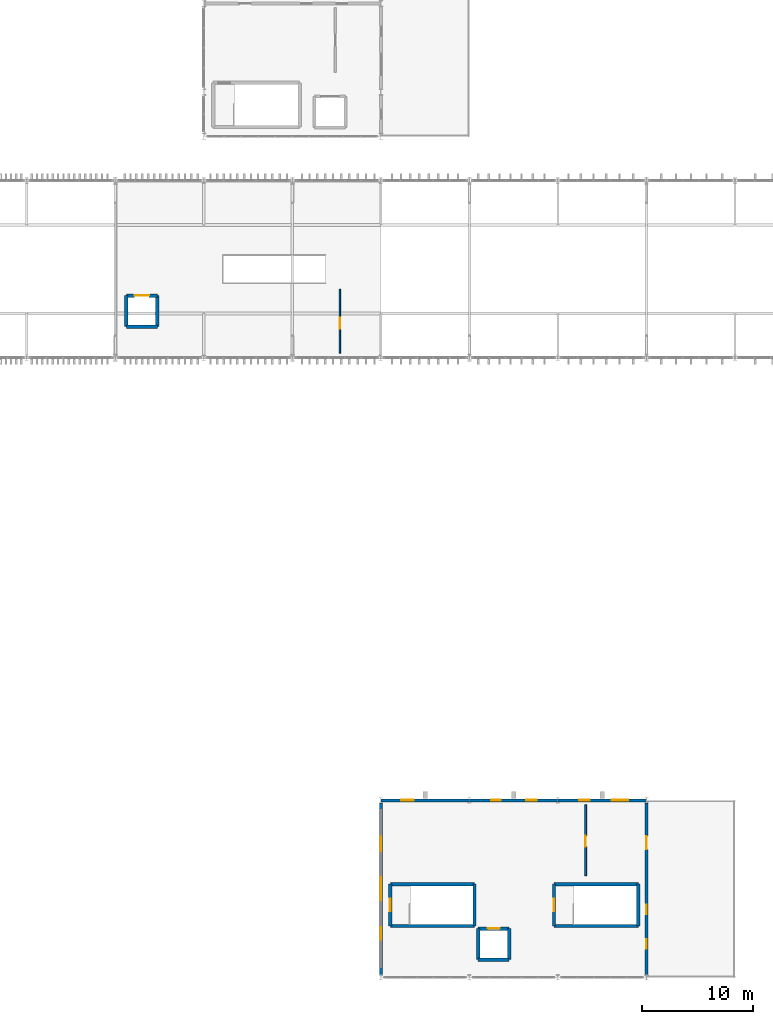
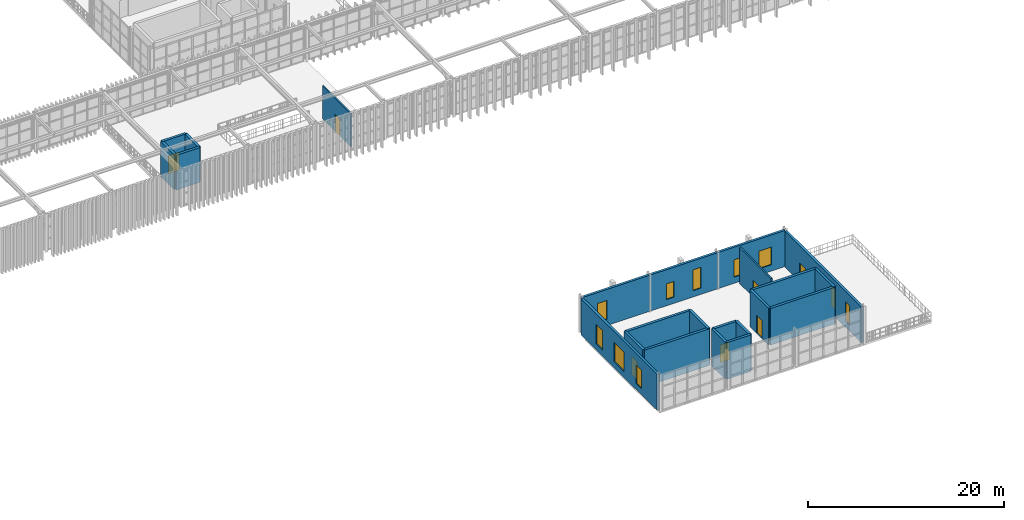
# One storey, part 50 of 61: 23 walls, 10 windows, 7 doors, 17 openings.
"""IFC4 building model written with IfcOpenShell, lengths in metres."""

from ifc_helpers import new_model, si_unit, direction, frame, frame_2d, origin, place, context, subcontext, project, spatial, rectangle, extrude, material, layer, layer_set, type_object, element, fill, save


model = new_model("IFC4")

# Units and contexts
model_context = context("Model", 3, precision=1e-05, world=origin(), true_north=direction((0.0, 1.0)))
body_context = subcontext(model_context, "Body", "Model", "MODEL_VIEW")
ifc_project = project(units=[si_unit("LENGTHUNIT", "METRE"), si_unit("AREAUNIT", "SQUARE_METRE"), si_unit("VOLUMEUNIT", "CUBIC_METRE"), si_unit("PLANEANGLEUNIT", "RADIAN"), si_unit("MASSUNIT", "GRAM", prefix="KILO")], contexts=[model_context])

# Site, building, storey
site_placement = place(None, origin())
site = spatial("IfcSite", under=ifc_project, at=site_placement, CompositionType="ELEMENT")
building_placement = place(site_placement, origin())
building = spatial("IfcBuilding", under=site, at=building_placement, Name="Serraluz Foothill Cableway Terminal", CompositionType="ELEMENT")
storey_placement = place(building_placement, frame((0.0, 0.0, 15.0)))
storey = spatial("IfcBuildingStorey", under=building, at=storey_placement, Name="L03", CompositionType="ELEMENT", Elevation=15.0)

# Wall, opening, window
ifc_material_1 = material(Name="Fired clay masonry brick (f'm 12 MPa)", Category="masonry")
ifc_layer_1 = layer(ifc_material_1, 0.280029296875, Name="Fired clay masonry brick (f'm 12 MPa)", Category="masonry")
ifc_layer_set_1 = layer_set([ifc_layer_1], Name="Fired clay masonry brick (f'm 12 MPa)")
wall_type_1 = type_object("IfcWallType", Name="TYP-WL-EXT-280", PredefinedType="STANDARD", material=ifc_layer_set_1)
wall_1_placement = place(storey_placement, frame((96.006103515625, 16.0, 0.0), z_axis=(0.0, 0.0, 1.0), x_axis=(1.0, 0.0, 0.0)))
wall_1 = element("IfcWall", 1, at=wall_1_placement, inside=storey, type_object=wall_type_1, Name="Exterior Masonry Wall EW-V3N-L03-96", PredefinedType="STANDARD", context=body_context, shape_type="SweptSolid", body=[
    extrude(rectangle(XDim=7.98779296875, YDim=0.280029296875, at=frame_2d((3.993896484375, 0.0))), origin(), (0.0, 0.0, 1.0), 4.5),
])
opening_1_placement = place(wall_1_placement, frame((1.83642578125, 0.0, 0.780029296875)))
opening_1 = element("IfcOpeningElement", 2, at=opening_1_placement, cuts=wall_1, Name="Opening W-50", PredefinedType="OPENING", context=body_context, shape_type="SweptSolid", body=[
    extrude(rectangle(XDim=1.1201171875, YDim=2.35009765625, at=frame_2d((0.56005859375, 1.175048828125))), frame((0.0, 0.14990234375, 0.0), z_axis=(0.0, -1.0, 0.0), x_axis=(1.0, 0.0, 0.0)), (0.0, 0.0, 1.0), 0.300048828125),
])
ifc_material_2 = material(Name="Laminated low-E safety glass", Category="glass")
window_type_1 = type_object("IfcWindowType", Name="TYP-WN-112X235", PartitioningType="SINGLE_PANEL", PredefinedType="WINDOW", material=ifc_material_2)
window_1_placement = place(opening_1_placement, origin())
window_1 = element("IfcWindow", 3, at=window_1_placement, inside=storey, type_object=window_type_1, Name="Exterior Window EW-V3N-L03-96-WN1", OverallHeight=2.35009765625, OverallWidth=1.1201171875, PartitioningType="SINGLE_PANEL", PredefinedType="WINDOW", context=body_context, shape_type="SweptSolid", body=[
    extrude(rectangle(XDim=1.1201171875, YDim=2.35009765625, at=frame_2d((0.56005859375, 1.175048828125))), frame((0.0, 0.030029296875, 0.0), z_axis=(0.0, -1.0, 0.0), x_axis=(1.0, 0.0, 0.0)), (0.0, 0.0, 1.0), 0.06005859375),
])
fill(opening_1, window_1)

# Wall, openings, windows
wall_2_placement = place(storey_placement, frame((104.006103515625, 16.0, 0.0), z_axis=(0.0, 0.0, 1.0), x_axis=(1.0, 0.0, 0.0)))
wall_2 = element("IfcWall", 4, at=wall_2_placement, inside=storey, type_object=wall_type_1, Name="Exterior Masonry Wall EW-V3N-L03-104", PredefinedType="STANDARD", context=body_context, shape_type="SweptSolid", body=[
    extrude(rectangle(XDim=7.98779296875, YDim=0.280029296875, at=frame_2d((3.993896484375, 0.0))), origin(), (0.0, 0.0, 1.0), 4.5),
])
opening_2_placement = place(wall_2_placement, frame((1.956298828125, 0.0, 0.780029296875)))
opening_2 = element("IfcOpeningElement", 5, at=opening_2_placement, cuts=wall_2, Name="Opening W-48", PredefinedType="OPENING", context=body_context, shape_type="SweptSolid", body=[
    extrude(rectangle(XDim=0.8798828125, YDim=1.949951171875, at=frame_2d((0.43994140625, 0.97509765625))), frame((0.0, 0.14990234375, 0.0), z_axis=(0.0, -1.0, 0.0), x_axis=(1.0, 0.0, 0.0)), (0.0, 0.0, 1.0), 0.300048828125),
])
opening_3_placement = place(wall_2_placement, frame((5.11669921875, 0.0, 0.780029296875)))
opening_3 = element("IfcOpeningElement", 6, at=opening_3_placement, cuts=wall_2, Name="Opening W-03", PredefinedType="OPENING", context=body_context, shape_type="SweptSolid", body=[
    extrude(rectangle(XDim=0.949951171875, YDim=2.60009765625, at=frame_2d((0.47509765625, 1.300048828125))), frame((0.0, 0.14990234375, 0.0), z_axis=(0.0, -1.0, 0.0), x_axis=(1.0, 0.0, 0.0)), (0.0, 0.0, 1.0), 0.300048828125),
])
window_type_2 = type_object("IfcWindowType", Name="TYP-WN-088X195", PartitioningType="SINGLE_PANEL", PredefinedType="WINDOW", material=ifc_material_2)
window_2_placement = place(opening_2_placement, origin())
window_2 = element("IfcWindow", 7, at=window_2_placement, inside=storey, type_object=window_type_2, Name="Exterior Window EW-V3N-L03-104-WN1", OverallHeight=1.949951171875, OverallWidth=0.8798828125, PartitioningType="SINGLE_PANEL", PredefinedType="WINDOW", context=body_context, shape_type="SweptSolid", body=[
    extrude(rectangle(XDim=0.8798828125, YDim=1.949951171875, at=frame_2d((0.43994140625, 0.97509765625))), frame((0.0, 0.030029296875, 0.0), z_axis=(0.0, -1.0, 0.0), x_axis=(1.0, 0.0, 0.0)), (0.0, 0.0, 1.0), 0.06005859375),
])
fill(opening_2, window_2)
window_type_3 = type_object("IfcWindowType", Name="TYP-WN-095X260", PartitioningType="SINGLE_PANEL", PredefinedType="WINDOW", material=ifc_material_2)
window_3_placement = place(opening_3_placement, origin())
window_3 = element("IfcWindow", 8, at=window_3_placement, inside=storey, type_object=window_type_3, Name="Exterior Window EW-V3N-L03-104-WN2", OverallHeight=2.60009765625, OverallWidth=0.949951171875, PartitioningType="SINGLE_PANEL", PredefinedType="WINDOW", context=body_context, shape_type="SweptSolid", body=[
    extrude(rectangle(XDim=0.949951171875, YDim=2.60009765625, at=frame_2d((0.47509765625, 1.300048828125))), frame((0.0, 0.030029296875, 0.0), z_axis=(0.0, -1.0, 0.0), x_axis=(1.0, 0.0, 0.0)), (0.0, 0.0, 1.0), 0.06005859375),
])
fill(opening_3, window_3)

wall_3_placement = place(storey_placement, frame((112.006103515625, 16.0, 0.0), z_axis=(0.0, 0.0, 1.0), x_axis=(1.0, 0.0, 0.0)))
wall_3 = element("IfcWall", 9, at=wall_3_placement, inside=storey, type_object=wall_type_1, Name="Exterior Masonry Wall EW-V3N-L03-112", PredefinedType="STANDARD", context=body_context, shape_type="SweptSolid", body=[
    extrude(rectangle(XDim=7.98779296875, YDim=0.280029296875, at=frame_2d((3.993896484375, 0.0))), origin(), (0.0, 0.0, 1.0), 4.5),
])
opening_4_placement = place(wall_3_placement, frame((1.906494140625, 0.0, 0.780029296875)))
opening_4 = element("IfcOpeningElement", 10, at=opening_4_placement, cuts=wall_3, Name="Opening W-49", PredefinedType="OPENING", context=body_context, shape_type="SweptSolid", body=[
    extrude(rectangle(XDim=0.97998046875, YDim=2.14990234375, at=frame_2d((0.489990234375, 1.074951171875))), frame((0.0, 0.14990234375, 0.0), z_axis=(0.0, -1.0, 0.0), x_axis=(1.0, 0.0, 0.0)), (0.0, 0.0, 1.0), 0.300048828125),
])
opening_5_placement = place(wall_3_placement, frame((4.841552734375, 0.0, 0.780029296875)))
opening_5 = element("IfcOpeningElement", 11, at=opening_5_placement, cuts=wall_3, Name="Opening W-07", PredefinedType="OPENING", context=body_context, shape_type="SweptSolid", body=[
    extrude(rectangle(XDim=1.5, YDim=2.199951171875, at=frame_2d((0.75, 1.10009765625))), frame((0.0, 0.14990234375, 0.0), z_axis=(0.0, -1.0, 0.0), x_axis=(1.0, 0.0, 0.0)), (0.0, 0.0, 1.0), 0.300048828125),
])
window_type_4 = type_object("IfcWindowType", Name="TYP-WN-098X215", PartitioningType="SINGLE_PANEL", PredefinedType="WINDOW", material=ifc_material_2)
window_4_placement = place(opening_4_placement, origin())
window_4 = element("IfcWindow", 12, at=window_4_placement, inside=storey, type_object=window_type_4, Name="Exterior Window EW-V3N-L03-112-WN1", OverallHeight=2.14990234375, OverallWidth=0.97998046875, PartitioningType="SINGLE_PANEL", PredefinedType="WINDOW", context=body_context, shape_type="SweptSolid", body=[
    extrude(rectangle(XDim=0.97998046875, YDim=2.14990234375, at=frame_2d((0.489990234375, 1.074951171875))), frame((0.0, 0.030029296875, 0.0), z_axis=(0.0, -1.0, 0.0), x_axis=(1.0, 0.0, 0.0)), (0.0, 0.0, 1.0), 0.06005859375),
])
fill(opening_4, window_4)
window_type_5 = type_object("IfcWindowType", Name="TYP-WN-150X220", PartitioningType="DOUBLE_PANEL_VERTICAL", PredefinedType="WINDOW", material=ifc_material_2)
window_5_placement = place(opening_5_placement, origin())
window_5 = element("IfcWindow", 13, at=window_5_placement, inside=storey, type_object=window_type_5, Name="Exterior Window EW-V3N-L03-112-WN2", OverallHeight=2.199951171875, OverallWidth=1.5, PartitioningType="SINGLE_PANEL", PredefinedType="WINDOW", context=body_context, shape_type="SweptSolid", body=[
    extrude(rectangle(XDim=1.5, YDim=2.199951171875, at=frame_2d((0.75, 1.10009765625))), frame((0.0, 0.030029296875, 0.0), z_axis=(0.0, -1.0, 0.0), x_axis=(1.0, 0.0, 0.0)), (0.0, 0.0, 1.0), 0.06005859375),
])
fill(opening_5, window_5)

wall_4_placement = place(storey_placement, frame((96.0, 0.236083984375, 0.0), z_axis=(0.0, 0.0, 1.0), x_axis=(0.0, 1.0, 0.0)))
wall_4 = element("IfcWall", 14, at=wall_4_placement, inside=storey, type_object=wall_type_1, Name="Exterior Masonry Wall EW-V3W-L03", PredefinedType="STANDARD", context=body_context, shape_type="SweptSolid", body=[
    extrude(rectangle(XDim=15.52783203125, YDim=0.280029296875, at=frame_2d((7.763916015625, 0.0))), origin(), (0.0, 0.0, 1.0), 4.5),
])
opening_6_placement = place(wall_4_placement, frame((3.166748046875, 0.0, 0.75)))
opening_6 = element("IfcOpeningElement", 15, at=opening_6_placement, cuts=wall_4, Name="Opening W-50", PredefinedType="OPENING", context=body_context, shape_type="SweptSolid", body=[
    extrude(rectangle(XDim=1.1201171875, YDim=2.35009765625, at=frame_2d((0.56005859375, 1.175048828125))), frame((0.0, 0.14990234375, 0.0), z_axis=(0.0, -1.0, 0.0), x_axis=(1.0, 0.0, 0.0)), (0.0, 0.0, 1.0), 0.300048828125),
])
opening_7_placement = place(wall_4_placement, frame((6.714111328125, 0.0, 0.75)))
opening_7 = element("IfcOpeningElement", 16, at=opening_7_placement, cuts=wall_4, Name="Opening W-12", PredefinedType="OPENING", context=body_context, shape_type="SweptSolid", body=[
    extrude(rectangle(XDim=2.10009765625, YDim=2.39990234375, at=frame_2d((1.050048828125, 1.199951171875))), frame((0.0, 0.14990234375, 0.0), z_axis=(0.0, -1.0, 0.0), x_axis=(1.0, 0.0, 0.0)), (0.0, 0.0, 1.0), 0.300048828125),
])
opening_8_placement = place(wall_4_placement, frame((11.1513671875, 0.0, 0.75)))
opening_8 = element("IfcOpeningElement", 17, at=opening_8_placement, cuts=wall_4, Name="Opening W-40", PredefinedType="OPENING", context=body_context, shape_type="SweptSolid", body=[
    extrude(rectangle(XDim=1.300048828125, YDim=2.449951171875, at=frame_2d((0.64990234375, 1.22509765625))), frame((0.0, 0.14990234375, 0.0), z_axis=(0.0, -1.0, 0.0), x_axis=(1.0, 0.0, 0.0)), (0.0, 0.0, 1.0), 0.300048828125),
])
window_6_placement = place(opening_6_placement, origin())
window_6 = element("IfcWindow", 18, at=window_6_placement, inside=storey, type_object=window_type_1, Name="Exterior Window EW-V3W-L03-WN1", OverallHeight=2.35009765625, OverallWidth=1.1201171875, PartitioningType="SINGLE_PANEL", PredefinedType="WINDOW", context=body_context, shape_type="SweptSolid", body=[
    extrude(rectangle(XDim=1.1201171875, YDim=2.35009765625, at=frame_2d((0.56005859375, 1.175048828125))), frame((0.0, 0.030029296875, 0.0), z_axis=(0.0, -1.0, 0.0), x_axis=(1.0, 0.0, 0.0)), (0.0, 0.0, 1.0), 0.06005859375),
])
fill(opening_6, window_6)
window_type_6 = type_object("IfcWindowType", Name="TYP-WN-130X245", PartitioningType="DOUBLE_PANEL_VERTICAL", PredefinedType="WINDOW", material=ifc_material_2)
window_7_placement = place(opening_8_placement, origin())
window_7 = element("IfcWindow", 19, at=window_7_placement, inside=storey, type_object=window_type_6, Name="Exterior Window EW-V3W-L03-WN3", OverallHeight=2.449951171875, OverallWidth=1.300048828125, PartitioningType="SINGLE_PANEL", PredefinedType="WINDOW", context=body_context, shape_type="SweptSolid", body=[
    extrude(rectangle(XDim=1.300048828125, YDim=2.449951171875, at=frame_2d((0.64990234375, 1.22509765625))), frame((0.0, 0.030029296875, 0.0), z_axis=(0.0, -1.0, 0.0), x_axis=(1.0, 0.0, 0.0)), (0.0, 0.0, 1.0), 0.06005859375),
])
fill(opening_8, window_7)
window_type_7 = type_object("IfcWindowType", Name="TYP-WN-210X240", PartitioningType="TRIPLE_PANEL_VERTICAL", PredefinedType="WINDOW", material=ifc_material_2)
window_8_placement = place(opening_7_placement, origin())
window_8 = element("IfcWindow", 20, at=window_8_placement, inside=storey, type_object=window_type_7, Name="Exterior Window EW-V3W-L03-WN2", OverallHeight=2.39990234375, OverallWidth=2.10009765625, PartitioningType="SINGLE_PANEL", PredefinedType="WINDOW", context=body_context, shape_type="SweptSolid", body=[
    extrude(rectangle(XDim=2.10009765625, YDim=2.39990234375, at=frame_2d((1.050048828125, 1.199951171875))), frame((0.0, 0.030029296875, 0.0), z_axis=(0.0, -1.0, 0.0), x_axis=(1.0, 0.0, 0.0)), (0.0, 0.0, 1.0), 0.06005859375),
])
fill(opening_7, window_8)

# Wall, openings, door, windows
wall_5_placement = place(storey_placement, frame((120.0, 15.763916015625, 0.0), z_axis=(0.0, 0.0, 1.0), x_axis=(0.0, -1.0, 0.0)))
wall_5 = element("IfcWall", 21, at=wall_5_placement, inside=storey, type_object=wall_type_1, Name="Exterior Masonry Wall EW-V3E-L03", PredefinedType="STANDARD", context=body_context, shape_type="SweptSolid", body=[
    extrude(rectangle(XDim=15.52783203125, YDim=0.280029296875, at=frame_2d((7.763916015625, 0.0))), origin(), (0.0, 0.0, 1.0), 4.5),
])
opening_9_placement = place(wall_5_placement, frame((9.202392578125, 0.0, 0.800048828125)))
opening_9 = element("IfcOpeningElement", 22, at=opening_9_placement, cuts=wall_5, Name="Opening W-02", PredefinedType="OPENING", context=body_context, shape_type="SweptSolid", body=[
    extrude(rectangle(XDim=0.85009765625, YDim=2.39990234375, at=frame_2d((0.425048828125, 1.199951171875))), frame((0.0, 0.14990234375, 0.0), z_axis=(0.0, -1.0, 0.0), x_axis=(1.0, 0.0, 0.0)), (0.0, 0.0, 1.0), 0.300048828125),
])
opening_10_placement = place(wall_5_placement, frame((12.30810546875, 0.0, 0.800048828125)))
opening_10 = element("IfcOpeningElement", 23, at=opening_10_placement, cuts=wall_5, Name="Opening W-02", PredefinedType="OPENING", context=body_context, shape_type="SweptSolid", body=[
    extrude(rectangle(XDim=0.85009765625, YDim=2.39990234375, at=frame_2d((0.425048828125, 1.199951171875))), frame((0.0, 0.14990234375, 0.0), z_axis=(0.0, -1.0, 0.0), x_axis=(1.0, 0.0, 0.0)), (0.0, 0.0, 1.0), 0.300048828125),
])
opening_11_placement = place(wall_5_placement, frame((3.0, 0.0, 0.0)))
opening_11 = element("IfcOpeningElement", 24, at=opening_11_placement, cuts=wall_5, Name="Opening DT-02", PredefinedType="OPENING", context=body_context, shape_type="SweptSolid", body=[
    extrude(rectangle(XDim=1.199951171875, YDim=2.35009765625, at=frame_2d((0.60009765625, 1.175048828125))), frame((0.0, 0.14990234375, 0.0), z_axis=(0.0, -1.0, 0.0), x_axis=(1.0, 0.0, 0.0)), (0.0, 0.0, 1.0), 0.300048828125),
])
ifc_material_3 = material(Name="Architectural bronze alloy C28000", Category="aluminium")
door_type_1 = type_object("IfcDoorType", Name="TYP-DR-TER-1200", OperationType="NOTDEFINED", PredefinedType="DOOR", material=ifc_material_3)
door_1_placement = place(opening_11_placement, origin())
door_1 = element("IfcDoor", 25, at=door_1_placement, inside=storey, type_object=door_type_1, Name="Belvedere Terrace Access Door L03", OperationType="SINGLE_SWING_LEFT", OverallHeight=2.35009765625, OverallWidth=1.199951171875, PredefinedType="DOOR", context=body_context, shape_type="SweptSolid", body=[
    extrude(rectangle(XDim=1.199951171875, YDim=2.35009765625, at=frame_2d((0.60009765625, 1.175048828125))), frame((0.0, 0.02490234375, 0.0), z_axis=(0.0, -1.0, 0.0), x_axis=(1.0, 0.0, 0.0)), (0.0, 0.0, 1.0), 0.050048828125),
])
fill(opening_11, door_1)
window_type_8 = type_object("IfcWindowType", Name="TYP-WN-085X240", PartitioningType="SINGLE_PANEL", PredefinedType="WINDOW", material=ifc_material_2)
window_9_placement = place(opening_9_placement, origin())
window_9 = element("IfcWindow", 26, at=window_9_placement, inside=storey, type_object=window_type_8, Name="Exterior Window EW-V3E-L03-WN1", OverallHeight=2.39990234375, OverallWidth=0.85009765625, PartitioningType="SINGLE_PANEL", PredefinedType="WINDOW", context=body_context, shape_type="SweptSolid", body=[
    extrude(rectangle(XDim=0.85009765625, YDim=2.39990234375, at=frame_2d((0.425048828125, 1.199951171875))), frame((0.0, 0.030029296875, 0.0), z_axis=(0.0, -1.0, 0.0), x_axis=(1.0, 0.0, 0.0)), (0.0, 0.0, 1.0), 0.06005859375),
])
fill(opening_9, window_9)
window_10_placement = place(opening_10_placement, origin())
window_10 = element("IfcWindow", 27, at=window_10_placement, inside=storey, type_object=window_type_8, Name="Exterior Window EW-V3E-L03-WN2", OverallHeight=2.39990234375, OverallWidth=0.85009765625, PartitioningType="SINGLE_PANEL", PredefinedType="WINDOW", context=body_context, shape_type="SweptSolid", body=[
    extrude(rectangle(XDim=0.85009765625, YDim=2.39990234375, at=frame_2d((0.425048828125, 1.199951171875))), frame((0.0, 0.030029296875, 0.0), z_axis=(0.0, -1.0, 0.0), x_axis=(1.0, 0.0, 0.0)), (0.0, 0.0, 1.0), 0.06005859375),
])
fill(opening_10, window_10)

# Wall, opening, door
ifc_material_4 = material(Name="Lightweight gypsum and steel stud partition", Category="steel")
ifc_layer_2 = layer(ifc_material_4, 0.14990234375, Name="Lightweight gypsum and steel stud partition", Category="steel")
ifc_layer_set_2 = layer_set([ifc_layer_2], Name="Lightweight gypsum and steel stud partition")
wall_type_2 = type_object("IfcWallType", Name="TYP-WL-PRT-150", PredefinedType="PARTITIONING", material=ifc_layer_set_2)
wall_6_placement = place(storey_placement, frame((92.300048828125, 56.39990234375, 0.0), z_axis=(0.0, 0.0, 1.0), x_axis=(0.0, 1.0, 0.0)))
wall_6 = element("IfcWall", 28, at=wall_6_placement, inside=storey, type_object=wall_type_2, Name="Interior Partition PT-L03-01", PredefinedType="PARTITIONING", context=body_context, shape_type="SweptSolid", body=[
    extrude(rectangle(XDim=5.800048828125, YDim=0.14990234375, at=frame_2d((2.89990234375, 0.0))), origin(), (0.0, 0.0, 1.0), 4.132568359375),
])
opening_12_placement = place(wall_6_placement, frame((2.199951171875, 0.0, 0.0)))
opening_12 = element("IfcOpeningElement", 29, at=opening_12_placement, cuts=wall_6, Name="Opening DI-04", PredefinedType="OPENING", context=body_context, shape_type="SweptSolid", body=[
    extrude(rectangle(XDim=1.0, YDim=2.10009765625, at=frame_2d((0.5, 1.050048828125))), frame((0.0, 0.0849609375, 0.0), z_axis=(0.0, -1.0, 0.0), x_axis=(1.0, 0.0, 0.0)), (0.0, 0.0, 1.0), 0.169921875),
])
ifc_material_5 = material(Name="Kiln-dried Andean oak hardwood", Category="wood")
door_type_2 = type_object("IfcDoorType", Name="TYP-DR-ACC-1000", OperationType="NOTDEFINED", PredefinedType="DOOR", material=ifc_material_5)
door_2_placement = place(opening_12_placement, origin())
door_2 = element("IfcDoor", 30, at=door_2_placement, inside=storey, type_object=door_type_2, Name="Interior Door PT-L03-01-DR1", OperationType="SINGLE_SWING_LEFT", OverallHeight=2.10009765625, OverallWidth=1.0, PredefinedType="DOOR", context=body_context, shape_type="SweptSolid", body=[
    extrude(rectangle(XDim=1.0, YDim=2.10009765625, at=frame_2d((0.5, 1.050048828125))), frame((0.0, 0.02490234375, 0.0), z_axis=(0.0, -1.0, 0.0), x_axis=(1.0, 0.0, 0.0)), (0.0, 0.0, 1.0), 0.050048828125),
])
fill(opening_12, door_2)

ifc_layer_3 = layer(ifc_material_1, 0.179931640625, Name="Fired clay masonry brick (f'm 12 MPa)", Category="masonry")
ifc_layer_set_3 = layer_set([ifc_layer_3], Name="Fired clay masonry brick (f'm 12 MPa)")
wall_type_3 = type_object("IfcWallType", Name="TYP-WL-PRT-180", PredefinedType="PARTITIONING", material=ifc_layer_set_3)
wall_7_placement = place(storey_placement, frame((114.5, 9.199951171875, 0.0), z_axis=(0.0, 0.0, 1.0), x_axis=(0.0, 1.0, 0.0)))
wall_7 = element("IfcWall", 31, at=wall_7_placement, inside=storey, type_object=wall_type_3, Name="Interior Partition PT-L03-03", PredefinedType="PARTITIONING", context=body_context, shape_type="SweptSolid", body=[
    extrude(rectangle(XDim=6.400146484375, YDim=0.179931640625, at=frame_2d((3.2001953125, 0.0))), origin(), (0.0, 0.0, 1.0), 4.47998046875),
])
opening_13_placement = place(wall_7_placement, frame((2.60009765625, 0.0, 0.0)))
opening_13 = element("IfcOpeningElement", 32, at=opening_13_placement, cuts=wall_7, Name="Opening DI-04", PredefinedType="OPENING", context=body_context, shape_type="SweptSolid", body=[
    extrude(rectangle(XDim=1.0, YDim=2.10009765625, at=frame_2d((0.5, 1.050048828125))), frame((0.0, 0.10009765625, 0.0), z_axis=(0.0, -1.0, 0.0), x_axis=(1.0, 0.0, 0.0)), (0.0, 0.0, 1.0), 0.199951171875),
])
door_3_placement = place(opening_13_placement, origin())
door_3 = element("IfcDoor", 33, at=door_3_placement, inside=storey, type_object=door_type_2, Name="Interior Door PT-L03-03-DR1", OperationType="SINGLE_SWING_RIGHT", OverallHeight=2.10009765625, OverallWidth=1.0, PredefinedType="DOOR", context=body_context, shape_type="SweptSolid", body=[
    extrude(rectangle(XDim=1.0, YDim=2.10009765625, at=frame_2d((0.5, 1.050048828125))), frame((0.0, 0.02490234375, 0.0), z_axis=(0.0, -1.0, 0.0), x_axis=(1.0, 0.0, 0.0)), (0.0, 0.0, 1.0), 0.050048828125),
])
fill(opening_13, door_3)

# Wall
ifc_material_6 = material(Name="Concrete C35/45 (f'c 35 MPa)", Category="concrete")
ifc_layer_4 = layer(ifc_material_6, 0.300048828125, Name="Concrete C35/45 (f'c 35 MPa)", Category="concrete")
ifc_layer_set_4 = layer_set([ifc_layer_4], Name="Concrete C35/45 (f'c 35 MPa)")
wall_type_4 = type_object("IfcWallType", Name="TYP-WL-SHR-350", PredefinedType="SHEAR", material=ifc_layer_set_4)
wall_8_placement = place(storey_placement, frame((104.4599609375, 4.64990234375, 0.0), z_axis=(0.0, 0.0, 1.0), x_axis=(-1.0, 0.0, 0.0)))
element("IfcWall", 34, at=wall_8_placement, inside=storey, type_object=wall_type_4, Name="Stair Core Shear Wall CW-ST-06-L03-S", PredefinedType="SHEAR", context=body_context, shape_type="SweptSolid", body=[
    extrude(rectangle(XDim=7.60986328125, YDim=0.300048828125, at=frame_2d((3.804931640625, 0.0))), origin(), (0.0, 0.0, 1.0), 4.56005859375),
])

# Wall, opening, door
wall_9_placement = place(storey_placement, frame((96.85009765625, 4.64990234375, 0.0), z_axis=(0.0, 0.0, 1.0), x_axis=(0.0, 1.0, 0.0)))
wall_9 = element("IfcWall", 35, at=wall_9_placement, inside=storey, type_object=wall_type_4, Name="Stair Core Shear Wall CW-ST-06-L03-W", PredefinedType="SHEAR", context=body_context, shape_type="SweptSolid", body=[
    extrude(rectangle(XDim=3.780029296875, YDim=0.300048828125, at=frame_2d((1.89013671875, 0.0))), origin(), (0.0, 0.0, 1.0), 4.56005859375),
])
opening_14_placement = place(wall_9_placement, frame((1.340087890625, 0.0, 0.0)))
opening_14 = element("IfcOpeningElement", 36, at=opening_14_placement, cuts=wall_9, Name="Opening DF-07", PredefinedType="OPENING", context=body_context, shape_type="SweptSolid", body=[
    extrude(rectangle(XDim=1.10009765625, YDim=2.199951171875, at=frame_2d((0.550048828125, 1.10009765625))), frame((0.0, 0.16015625, 0.0), z_axis=(0.0, -1.0, 0.0), x_axis=(1.0, 0.0, 0.0)), (0.0, 0.0, 1.0), 0.320068359375),
])
ifc_material_7 = material(Name="Galvanized hollow-metal steel sheet", Category="steel")
door_type_3 = type_object("IfcDoorType", Name="TYP-DR-FD60-1100", OperationType="NOTDEFINED", PredefinedType="DOOR", material=ifc_material_7)
door_4_placement = place(opening_14_placement, origin())
door_4 = element("IfcDoor", 37, at=door_4_placement, inside=storey, type_object=door_type_3, Name="Exit Stair Fire Door ST-06 L03", OperationType="SINGLE_SWING_RIGHT", OverallHeight=2.199951171875, OverallWidth=1.10009765625, PredefinedType="DOOR", context=body_context, shape_type="SweptSolid", body=[
    extrude(rectangle(XDim=1.10009765625, YDim=2.199951171875, at=frame_2d((0.550048828125, 1.10009765625))), frame((0.0, 0.02490234375, 0.0), z_axis=(0.0, -1.0, 0.0), x_axis=(1.0, 0.0, 0.0)), (0.0, 0.0, 1.0), 0.050048828125),
])
fill(opening_14, door_4)

# Walls
wall_10_placement = place(storey_placement, frame((96.85009765625, 8.429931640625, 0.0), z_axis=(0.0, 0.0, 1.0), x_axis=(1.0, 0.0, 0.0)))
element("IfcWall", 38, at=wall_10_placement, inside=storey, type_object=wall_type_4, Name="Stair Core Shear Wall CW-ST-06-L03-N", PredefinedType="SHEAR", context=body_context, shape_type="SweptSolid", body=[
    extrude(rectangle(XDim=7.60986328125, YDim=0.300048828125, at=frame_2d((3.804931640625, 0.0))), origin(), (0.0, 0.0, 1.0), 4.56005859375),
])
wall_11_placement = place(storey_placement, frame((104.4599609375, 8.429931640625, 0.0), z_axis=(0.0, 0.0, 1.0), x_axis=(0.0, -1.0, 0.0)))
element("IfcWall", 39, at=wall_11_placement, inside=storey, type_object=wall_type_4, Name="Stair Core Shear Wall CW-ST-06-L03-E", PredefinedType="SHEAR", context=body_context, shape_type="SweptSolid", body=[
    extrude(rectangle(XDim=3.780029296875, YDim=0.300048828125, at=frame_2d((1.89013671875, 0.0))), origin(), (0.0, 0.0, 1.0), 4.56005859375),
])
wall_12_placement = place(storey_placement, frame((119.260009765625, 4.64990234375, 0.0), z_axis=(0.0, 0.0, 1.0), x_axis=(-1.0, 0.0, 0.0)))
element("IfcWall", 40, at=wall_12_placement, inside=storey, type_object=wall_type_4, Name="Stair Core Shear Wall CW-ST-07-L03-S", PredefinedType="SHEAR", context=body_context, shape_type="SweptSolid", body=[
    extrude(rectangle(XDim=7.610107421875, YDim=0.300048828125, at=frame_2d((3.80517578125, 0.0))), origin(), (0.0, 0.0, 1.0), 4.56005859375),
])

# Wall, opening, door
wall_13_placement = place(storey_placement, frame((111.64990234375, 4.64990234375, 0.0), z_axis=(0.0, 0.0, 1.0), x_axis=(0.0, 1.0, 0.0)))
wall_13 = element("IfcWall", 41, at=wall_13_placement, inside=storey, type_object=wall_type_4, Name="Stair Core Shear Wall CW-ST-07-L03-W", PredefinedType="SHEAR", context=body_context, shape_type="SweptSolid", body=[
    extrude(rectangle(XDim=3.780029296875, YDim=0.300048828125, at=frame_2d((1.89013671875, 0.0))), origin(), (0.0, 0.0, 1.0), 4.56005859375),
])
opening_15_placement = place(wall_13_placement, frame((1.340087890625, 0.0, 0.0)))
opening_15 = element("IfcOpeningElement", 42, at=opening_15_placement, cuts=wall_13, Name="Opening DF-07", PredefinedType="OPENING", context=body_context, shape_type="SweptSolid", body=[
    extrude(rectangle(XDim=1.10009765625, YDim=2.199951171875, at=frame_2d((0.550048828125, 1.10009765625))), frame((0.0, 0.16015625, 0.0), z_axis=(0.0, -1.0, 0.0), x_axis=(1.0, 0.0, 0.0)), (0.0, 0.0, 1.0), 0.320068359375),
])
door_5_placement = place(opening_15_placement, origin())
door_5 = element("IfcDoor", 43, at=door_5_placement, inside=storey, type_object=door_type_3, Name="Exit Stair Fire Door ST-07 L03", OperationType="SINGLE_SWING_RIGHT", OverallHeight=2.199951171875, OverallWidth=1.10009765625, PredefinedType="DOOR", context=body_context, shape_type="SweptSolid", body=[
    extrude(rectangle(XDim=1.10009765625, YDim=2.199951171875, at=frame_2d((0.550048828125, 1.10009765625))), frame((0.0, 0.02490234375, 0.0), z_axis=(0.0, -1.0, 0.0), x_axis=(1.0, 0.0, 0.0)), (0.0, 0.0, 1.0), 0.050048828125),
])
fill(opening_15, door_5)

# Walls
wall_14_placement = place(storey_placement, frame((111.64990234375, 8.429931640625, 0.0), z_axis=(0.0, 0.0, 1.0), x_axis=(1.0, 0.0, 0.0)))
element("IfcWall", 44, at=wall_14_placement, inside=storey, type_object=wall_type_4, Name="Stair Core Shear Wall CW-ST-07-L03-N", PredefinedType="SHEAR", context=body_context, shape_type="SweptSolid", body=[
    extrude(rectangle(XDim=7.610107421875, YDim=0.300048828125, at=frame_2d((3.80517578125, 0.0))), origin(), (0.0, 0.0, 1.0), 4.56005859375),
])
wall_15_placement = place(storey_placement, frame((119.260009765625, 8.429931640625, 0.0), z_axis=(0.0, 0.0, 1.0), x_axis=(0.0, -1.0, 0.0)))
element("IfcWall", 45, at=wall_15_placement, inside=storey, type_object=wall_type_4, Name="Stair Core Shear Wall CW-ST-07-L03-E", PredefinedType="SHEAR", context=body_context, shape_type="SweptSolid", body=[
    extrude(rectangle(XDim=3.780029296875, YDim=0.300048828125, at=frame_2d((1.89013671875, 0.0))), origin(), (0.0, 0.0, 1.0), 4.56005859375),
])
for number, where, z_axis, x_axis, name in (
    (46, (75.800048828125, 58.800048828125, 0.0), (0.0, 0.0, 1.0), (-1.0, 0.0, 0.0), "Lift Shaft Shear Wall LW-LF-03-L03-S"),
    (47, (73.0, 58.800048828125, 0.0), (0.0, 0.0, 1.0), (0.0, 1.0, 0.0), "Lift Shaft Shear Wall LW-LF-03-L03-W"),
):
    element("IfcWall", number, at=place(storey_placement, frame(where, z_axis=z_axis, x_axis=x_axis)), inside=storey, type_object=wall_type_4, Name=name, PredefinedType="SHEAR", context=body_context, shape_type="SweptSolid", body=[
        extrude(rectangle(XDim=2.800048828125, YDim=0.300048828125, at=frame_2d((1.39990234375, 0.0))), origin(), (0.0, 0.0, 1.0), 4.320068359375),
    ])

# Wall, opening, door
wall_16_placement = place(storey_placement, frame((73.0, 61.60009765625, 0.0), z_axis=(0.0, 0.0, 1.0), x_axis=(1.0, 0.0, 0.0)))
wall_16 = element("IfcWall", 48, at=wall_16_placement, inside=storey, type_object=wall_type_4, Name="Lift Shaft Shear Wall LW-LF-03-L03-N", PredefinedType="SHEAR", context=body_context, shape_type="SweptSolid", body=[
    extrude(rectangle(XDim=2.800048828125, YDim=0.300048828125, at=frame_2d((1.39990234375, 0.0))), origin(), (0.0, 0.0, 1.0), 4.320068359375),
])
opening_16_placement = place(wall_16_placement, frame((0.75, 0.0, 0.0)))
opening_16 = element("IfcOpeningElement", 49, at=opening_16_placement, cuts=wall_16, Name="Opening LD-02", PredefinedType="OPENING", context=body_context, shape_type="SweptSolid", body=[
    extrude(rectangle(XDim=1.300048828125, YDim=2.25, at=frame_2d((0.64990234375, 1.125))), frame((0.0, 0.16015625, 0.0), z_axis=(0.0, -1.0, 0.0), x_axis=(1.0, 0.0, 0.0)), (0.0, 0.0, 1.0), 0.320068359375),
])
door_type_4 = type_object("IfcDoorType", Name="TYP-DR-LD-1300", OperationType="DOUBLE_DOOR_SLIDING", PredefinedType="DOOR", material=ifc_material_7)
door_6_placement = place(opening_16_placement, origin())
door_6 = element("IfcDoor", 50, at=door_6_placement, inside=storey, type_object=door_type_4, Name="Lift Sliding Landing Door LF-03 L03", OperationType="DOUBLE_DOOR_SLIDING", OverallHeight=2.25, OverallWidth=1.300048828125, PredefinedType="DOOR", context=body_context, shape_type="SweptSolid", body=[
    extrude(rectangle(XDim=1.300048828125, YDim=2.25, at=frame_2d((0.64990234375, 1.125))), frame((0.0, 0.02490234375, 0.0), z_axis=(0.0, -1.0, 0.0), x_axis=(1.0, 0.0, 0.0)), (0.0, 0.0, 1.0), 0.050048828125),
])
fill(opening_16, door_6)

# Walls
wall_17_placement = place(storey_placement, frame((75.800048828125, 61.60009765625, 0.0), z_axis=(0.0, 0.0, 1.0), x_axis=(0.0, -1.0, 0.0)))
element("IfcWall", 51, at=wall_17_placement, inside=storey, type_object=wall_type_4, Name="Lift Shaft Shear Wall LW-LF-03-L03-E", PredefinedType="SHEAR", context=body_context, shape_type="SweptSolid", body=[
    extrude(rectangle(XDim=2.800048828125, YDim=0.300048828125, at=frame_2d((1.39990234375, 0.0))), origin(), (0.0, 0.0, 1.0), 4.320068359375),
])
wall_18_placement = place(storey_placement, frame((107.60009765625, 1.60009765625, 0.0), z_axis=(0.0, 0.0, 1.0), x_axis=(-1.0, 0.0, 0.0)))
element("IfcWall", 52, at=wall_18_placement, inside=storey, type_object=wall_type_4, Name="Lift Shaft Shear Wall LW-LF-06-L03-S", PredefinedType="SHEAR", context=body_context, shape_type="SweptSolid", body=[
    extrude(rectangle(XDim=2.800048828125, YDim=0.300048828125, at=frame_2d((1.39990234375, 0.0))), origin(), (0.0, 0.0, 1.0), 4.56005859375),
])
wall_19_placement = place(storey_placement, frame((104.800048828125, 1.60009765625, 0.0), z_axis=(0.0, 0.0, 1.0), x_axis=(0.0, 1.0, 0.0)))
element("IfcWall", 53, at=wall_19_placement, inside=storey, type_object=wall_type_4, Name="Lift Shaft Shear Wall LW-LF-06-L03-W", PredefinedType="SHEAR", context=body_context, shape_type="SweptSolid", body=[
    extrude(rectangle(XDim=2.7998046875, YDim=0.300048828125, at=frame_2d((1.39990234375, 0.0))), origin(), (0.0, 0.0, 1.0), 4.56005859375),
])

# Wall, opening, door
wall_20_placement = place(storey_placement, frame((104.800048828125, 4.39990234375, 0.0), z_axis=(0.0, 0.0, 1.0), x_axis=(1.0, 0.0, 0.0)))
wall_20 = element("IfcWall", 54, at=wall_20_placement, inside=storey, type_object=wall_type_4, Name="Lift Shaft Shear Wall LW-LF-06-L03-N", PredefinedType="SHEAR", context=body_context, shape_type="SweptSolid", body=[
    extrude(rectangle(XDim=2.800048828125, YDim=0.300048828125, at=frame_2d((1.39990234375, 0.0))), origin(), (0.0, 0.0, 1.0), 4.56005859375),
])
opening_17_placement = place(wall_20_placement, frame((0.85009765625, 0.0, 0.0)))
opening_17 = element("IfcOpeningElement", 55, at=opening_17_placement, cuts=wall_20, Name="Opening LD-01", PredefinedType="OPENING", context=body_context, shape_type="SweptSolid", body=[
    extrude(rectangle(XDim=1.10009765625, YDim=2.199951171875, at=frame_2d((0.550048828125, 1.10009765625))), frame((0.0, 0.16015625, 0.0), z_axis=(0.0, -1.0, 0.0), x_axis=(1.0, 0.0, 0.0)), (0.0, 0.0, 1.0), 0.320068359375),
])
door_type_5 = type_object("IfcDoorType", Name="TYP-DR-LD-1100", OperationType="DOUBLE_DOOR_SLIDING", PredefinedType="DOOR", material=ifc_material_7)
door_7_placement = place(opening_17_placement, origin())
door_7 = element("IfcDoor", 56, at=door_7_placement, inside=storey, type_object=door_type_5, Name="Lift Sliding Landing Door LF-06 L03", OperationType="DOUBLE_DOOR_SLIDING", OverallHeight=2.199951171875, OverallWidth=1.10009765625, PredefinedType="DOOR", context=body_context, shape_type="SweptSolid", body=[
    extrude(rectangle(XDim=1.10009765625, YDim=2.199951171875, at=frame_2d((0.550048828125, 1.10009765625))), frame((0.0, 0.02490234375, 0.0), z_axis=(0.0, -1.0, 0.0), x_axis=(1.0, 0.0, 0.0)), (0.0, 0.0, 1.0), 0.050048828125),
])
fill(opening_17, door_7)

# Wall
wall_21_placement = place(storey_placement, frame((107.60009765625, 4.39990234375, 0.0), z_axis=(0.0, 0.0, 1.0), x_axis=(0.0, -1.0, 0.0)))
element("IfcWall", 57, at=wall_21_placement, inside=storey, type_object=wall_type_4, Name="Lift Shaft Shear Wall LW-LF-06-L03-E", PredefinedType="SHEAR", context=body_context, shape_type="SweptSolid", body=[
    extrude(rectangle(XDim=2.7998046875, YDim=0.300048828125, at=frame_2d((1.39990234375, 0.0))), origin(), (0.0, 0.0, 1.0), 4.56005859375),
])

save(model, "model.ifc")
